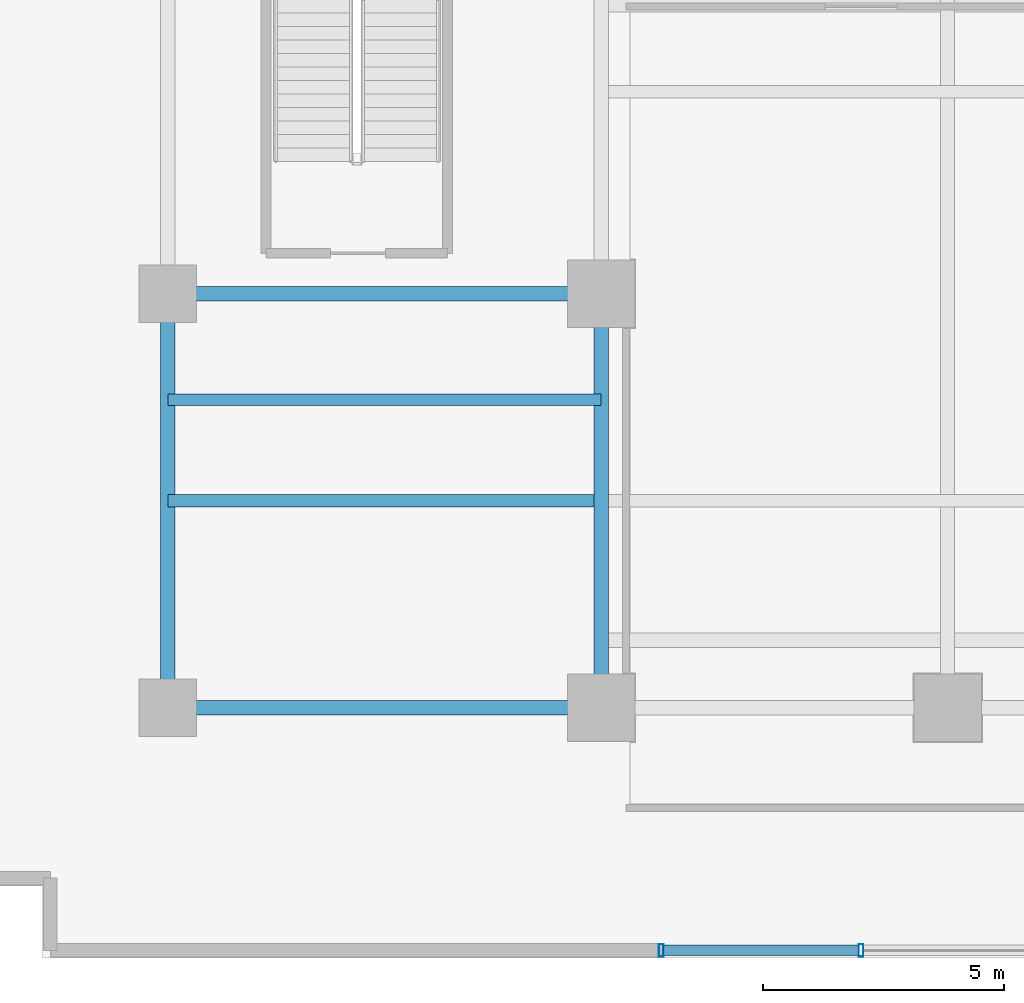
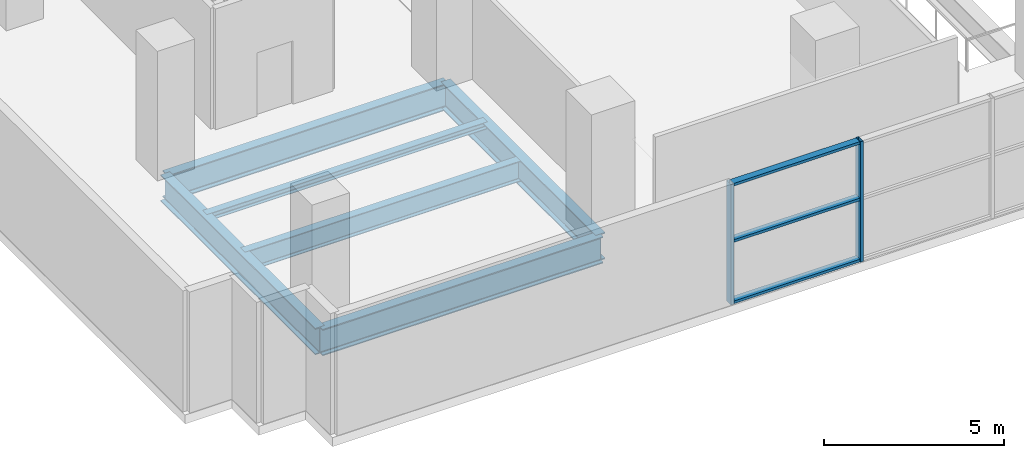
# One storey, part 2 of 21: 6 beams, 5 members, 1 element without a shape of its own.
"""IFC4 building model written with IfcOpenShell, lengths in metres."""

from ifc_helpers import new_model, si_unit, direction, frame, origin, origin_2d, place, context, subcontext, project, spatial, hollow_rectangle, i_section, extrude, source, transform, mapped, material, layer, layer_set, material_profile, profile_set, type_object, element, aggregate, save


model = new_model("IFC4")

# Units and contexts
model_context = context("Model", 3, precision=1e-05, world=origin(), true_north=direction((0.0, 1.0)))
body_context = subcontext(model_context, "Body", "Model", "MODEL_VIEW")
ifc_project = project(units=[si_unit("LENGTHUNIT", "METRE"), si_unit("AREAUNIT", "SQUARE_METRE"), si_unit("VOLUMEUNIT", "CUBIC_METRE"), si_unit("PLANEANGLEUNIT", "RADIAN"), si_unit("MASSUNIT", "GRAM", prefix="KILO")], contexts=[model_context])

# Site, building, storey
site_placement = place(None, origin())
site = spatial("IfcSite", under=ifc_project, at=site_placement, CompositionType="ELEMENT")
building_placement = place(site_placement, origin())
building = spatial("IfcBuilding", under=site, at=building_placement, Name="Zarnakvel Exchange Tower", CompositionType="ELEMENT")
storey_placement = place(building_placement, frame((0.0, 0.0, 18.199951171875)))
storey = spatial("IfcBuildingStorey", under=building, at=storey_placement, Name="L04", CompositionType="ELEMENT", Elevation=18.199951171875)

# Beams
ifc_material_1 = material(Name="Steel S355", Category="steel")
ifc_material_profile_1 = material_profile(ifc_material_1, i_section(OverallWidth=0.255859375, OverallDepth=0.69287109375, WebThickness=0.014404296875, FlangeThickness=0.023681640625, FilletRadius=0.01513671875, at=origin_2d()))
ifc_profile_set_1 = profile_set([ifc_material_profile_1], Name="Steel S355")
beam_type_1 = type_object("IfcBeamType", Name="B-01", PredefinedType="JOIST", material=ifc_profile_set_1)
beam_1_placement = place(storey_placement, frame((-30.60009765625, -13.89990234375, -0.646484375), z_axis=(1.0, 0.0, 0.0), x_axis=(0.0, 1.0, 0.0)))
element("IfcBeam", 1, at=beam_1_placement, inside=storey, type_object=beam_type_1, Name="L04 Podium Wing Secondary Joist West", PredefinedType="JOIST", context=body_context, shape_type="SweptSolid", body=[
    extrude(i_section(OverallWidth=0.255859375, OverallDepth=0.69287109375, WebThickness=0.014404296875, FlangeThickness=0.023681640625, FilletRadius=0.01513671875, at=origin_2d()), origin(), (0.0, 0.0, 1.0), 8.85009765625),
])
ifc_material_profile_2 = material_profile(ifc_material_1, i_section(OverallWidth=0.300048828125, OverallDepth=0.89990234375, WebThickness=0.0185546875, FlangeThickness=0.034912109375, FilletRadius=0.030029296875, at=origin_2d()))
ifc_profile_set_2 = profile_set([ifc_material_profile_2], Name="Steel S355")
beam_type_2 = type_object("IfcBeamType", Name="G-01", PredefinedType="BEAM", material=ifc_profile_set_2)
for number, where, z_axis, x_axis, name in (
    (2, (-30.60009765625, -18.199951171875, -0.75), (1.0, 0.0, 0.0), (0.0, 1.0, 0.0), "L04 Primary E-W Girder Y=-18.2"),
    (3, (-30.60009765625, -9.60009765625, -0.75), (1.0, 0.0, 0.0), (0.0, 1.0, 0.0), "L04 Primary E-W Girder Y=-9.6"),
):
    element("IfcBeam", number, at=place(storey_placement, frame(where, z_axis=z_axis, x_axis=x_axis)), inside=storey, type_object=beam_type_2, Name=name, PredefinedType="BEAM", context=body_context, shape_type="SweptSolid", body=[
        extrude(i_section(OverallWidth=0.300048828125, OverallDepth=0.89990234375, WebThickness=0.0185546875, FlangeThickness=0.034912109375, FilletRadius=0.030029296875, at=origin_2d()), origin(), (0.0, 0.0, 1.0), 9.0),
    ])
for number, where, z_axis, x_axis, name in (
    (4, (-30.60009765625, -18.199951171875, -0.75), (0.0, 1.0, 0.0), (-1.0, 0.0, 0.0), "L04 Primary N-S Girder X=-30.6"),
    (5, (-21.60009765625, -18.199951171875, -0.75), (0.0, 1.0, 0.0), (-1.0, 0.0, 0.0), "L04 Primary N-S Girder X=-21.6"),
):
    element("IfcBeam", number, at=place(storey_placement, frame(where, z_axis=z_axis, x_axis=x_axis)), inside=storey, type_object=beam_type_2, Name=name, PredefinedType="BEAM", context=body_context, shape_type="SweptSolid", body=[
        extrude(i_section(OverallWidth=0.300048828125, OverallDepth=0.89990234375, WebThickness=0.0185546875, FlangeThickness=0.034912109375, FilletRadius=0.030029296875, at=origin_2d()), origin(), (0.0, 0.0, 1.0), 8.599853515625),
    ])
ifc_material_profile_3 = material_profile(ifc_material_1, i_section(OverallWidth=0.239990234375, OverallDepth=0.239990234375, WebThickness=0.010009765625, FlangeThickness=0.01708984375, FilletRadius=0.02099609375, at=origin_2d()))
ifc_profile_set_3 = profile_set([ifc_material_profile_3], Name="Steel S355")
beam_type_3 = type_object("IfcBeamType", Name="LN-01", PredefinedType="LINTEL", material=ifc_profile_set_3)
beam_2_placement = place(storey_placement, frame((-30.60009765625, -11.800048828125, -0.419921875), z_axis=(1.0, 0.0, 0.0), x_axis=(0.0, 1.0, 0.0)))
element("IfcBeam", 6, at=beam_2_placement, inside=storey, type_object=beam_type_3, Name="L04 Concourse Gallery Opening Lintel West", PredefinedType="LINTEL", context=body_context, shape_type="SweptSolid", body=[
    extrude(i_section(OverallWidth=0.239990234375, OverallDepth=0.239990234375, WebThickness=0.010009765625, FlangeThickness=0.01708984375, FilletRadius=0.02099609375, at=origin_2d()), origin(), (0.0, 0.0, 1.0), 9.0),
])

# Curtain wall, members
ifc_material_2 = material(Name="Architectural Bronze Anodised Aluminium", Category="aluminium")
ifc_layer = layer(ifc_material_2, 0.260009765625)
ifc_layer_set = layer_set([ifc_layer], Name="Architectural Bronze Anodised Aluminium")
curtain_wall_type = type_object("IfcCurtainWallType", Name="CW-01", PredefinedType="NOTDEFINED", material=ifc_layer_set)
curtain_wall_placement = place(storey_placement, origin())
curtain_wall = element("IfcCurtainWall", 7, at=curtain_wall_placement, inside=storey, type_object=curtain_wall_type, Name="L04 Curtain Wall CW-L04-S1 (CW-01)", PredefinedType="NOTDEFINED")
ifc_material_profile_4 = material_profile(ifc_material_2, hollow_rectangle(XDim=0.219970703125, YDim=0.090087890625, WallThickness=0.0048828125, at=origin_2d()))
ifc_profile_set_4 = profile_set([ifc_material_profile_4], Name="Architectural Bronze Anodised Aluminium")
member_type_1 = type_object("IfcMemberType", Name="CWT-01", PredefinedType="USERDEFINED", material=ifc_profile_set_4)
shared_shape_1 = source(origin(), body_context, "Body", "SweptSolid", [
    extrude(hollow_rectangle(XDim=0.219970703125, YDim=0.090087890625, WallThickness=0.0048828125, at=origin_2d()), origin(), (0.0, 0.0, 1.0), 4.050048828125),
])
member_1_placement = place(storey_placement, frame((-20.300048828125, -23.239990234375, 0.045166015625), z_axis=(1.0, 0.0, 0.0), x_axis=(0.0, 1.0, 0.0)))
member_1 = element("IfcMember", 8, at=member_1_placement, type_object=member_type_1, Name="CW-01 transom 1.1", ObjectType="TRANSOM", PredefinedType="USERDEFINED", context=body_context, shape_type="MappedRepresentation", body=[
    mapped(shared_shape_1, transform((0.0, 0.0, 0.0), x_axis=(1.0, 0.0, 0.0), y_axis=(0.0, 1.0, 0.0), z_axis=(0.0, 0.0, 1.0), scale=1.0)),
])
member_2_placement = place(storey_placement, frame((-20.300048828125, -23.239990234375, 2.12158203125), z_axis=(1.0, 0.0, 0.0), x_axis=(0.0, 1.0, 0.0)))
member_2 = element("IfcMember", 9, at=member_2_placement, type_object=member_type_1, Name="CW-01 transom 1.2", ObjectType="TRANSOM", PredefinedType="USERDEFINED", context=body_context, shape_type="MappedRepresentation", body=[
    mapped(shared_shape_1, transform((0.0, 0.0, 0.0), x_axis=(1.0, 0.0, 0.0), y_axis=(0.0, 1.0, 0.0), z_axis=(0.0, 0.0, 1.0), scale=1.0)),
])
member_3_placement = place(storey_placement, frame((-20.300048828125, -23.239990234375, 4.03515625), z_axis=(1.0, 0.0, 0.0), x_axis=(0.0, 1.0, 0.0)))
member_3 = element("IfcMember", 10, at=member_3_placement, type_object=member_type_1, Name="CW-01 transom 1.3", ObjectType="TRANSOM", PredefinedType="USERDEFINED", context=body_context, shape_type="MappedRepresentation", body=[
    mapped(shared_shape_1, transform((0.0, 0.0, 0.0), x_axis=(1.0, 0.0, 0.0), y_axis=(0.0, 1.0, 0.0), z_axis=(0.0, 0.0, 1.0), scale=1.0)),
])
ifc_material_profile_5 = material_profile(ifc_material_2, hollow_rectangle(XDim=0.260009765625, YDim=0.10009765625, WallThickness=0.006103515625, at=origin_2d()))
ifc_profile_set_5 = profile_set([ifc_material_profile_5], Name="Architectural Bronze Anodised Aluminium")
member_type_2 = type_object("IfcMemberType", Name="CWM-01", PredefinedType="MULLION", material=ifc_profile_set_5)
shared_shape_2 = source(origin(), body_context, "Body", "SweptSolid", [
    extrude(hollow_rectangle(XDim=0.260009765625, YDim=0.10009765625, WallThickness=0.006103515625, at=origin_2d()), origin(), (0.0, 0.0, 1.0), 4.080078125),
])
member_4_placement = place(storey_placement, frame((-20.35009765625, -23.239990234375, 0.0), z_axis=(0.0, 0.0, 1.0), x_axis=(0.0, 1.0, 0.0)))
member_4 = element("IfcMember", 11, at=member_4_placement, type_object=member_type_2, Name="CW-01 mullion 1", PredefinedType="MULLION", context=body_context, shape_type="MappedRepresentation", body=[
    mapped(shared_shape_2, transform((0.0, 0.0, 0.0), x_axis=(1.0, 0.0, 0.0), y_axis=(0.0, 1.0, 0.0), z_axis=(0.0, 0.0, 1.0), scale=1.0)),
])
member_5_placement = place(storey_placement, frame((-16.199951171875, -23.239990234375, 0.0), z_axis=(0.0, 0.0, 1.0), x_axis=(0.0, 1.0, 0.0)))
member_5 = element("IfcMember", 12, at=member_5_placement, type_object=member_type_2, Name="CW-01 mullion 2", PredefinedType="MULLION", context=body_context, shape_type="MappedRepresentation", body=[
    mapped(shared_shape_2, transform((0.0, 0.0, 0.0), x_axis=(1.0, 0.0, 0.0), y_axis=(0.0, 1.0, 0.0), z_axis=(0.0, 0.0, 1.0), scale=1.0)),
])
aggregate(curtain_wall, [member_4, member_5, member_1, member_2, member_3])

save(model, "model.ifc")
